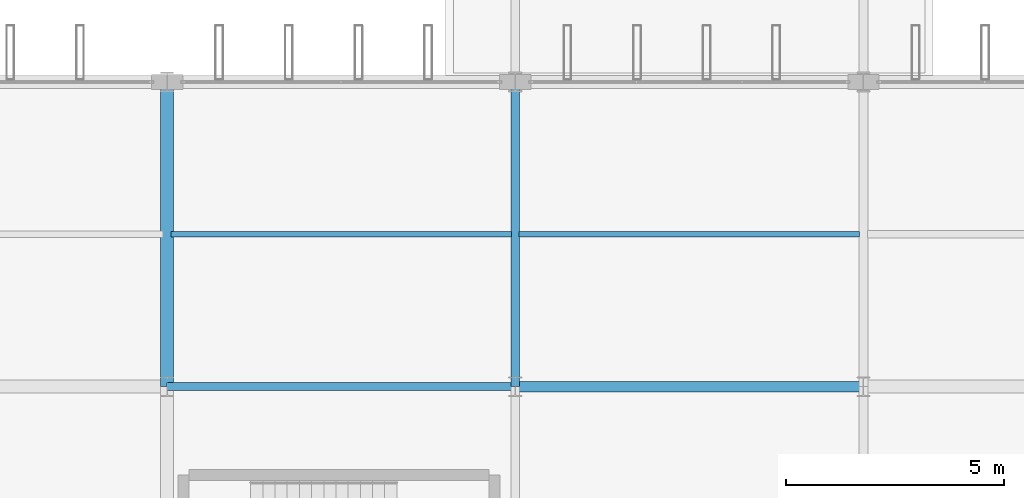
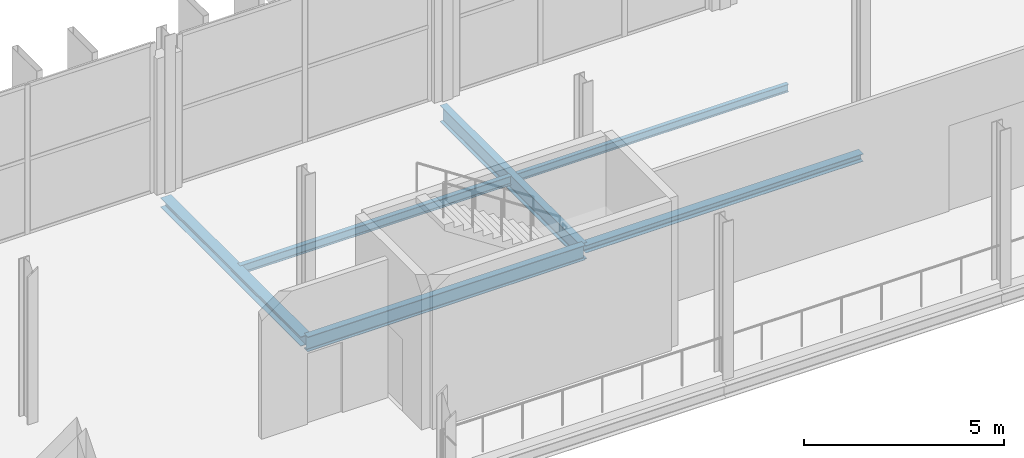
# One storey, part 42 of 120: 6 beams.
"""IFC4 building model written with IfcOpenShell, lengths in metres."""

from ifc_helpers import new_model, si_unit, direction, frame, origin, origin_2d, place, context, subcontext, project, spatial, i_section, extrude, material, material_profile, profile_set, type_object, element, save


model = new_model("IFC4")

# Units and contexts
model_context = context("Model", 3, precision=1e-05, world=origin(), true_north=direction((0.0, 1.0)))
body_context = subcontext(model_context, "Body", "Model", "MODEL_VIEW")
ifc_project = project(units=[si_unit("LENGTHUNIT", "METRE"), si_unit("AREAUNIT", "SQUARE_METRE"), si_unit("VOLUMEUNIT", "CUBIC_METRE"), si_unit("PLANEANGLEUNIT", "RADIAN"), si_unit("MASSUNIT", "GRAM", prefix="KILO")], contexts=[model_context])

# Site, building, storey
site_placement = place(None, origin())
site = spatial("IfcSite", under=ifc_project, at=site_placement, CompositionType="ELEMENT")
building_placement = place(site_placement, origin())
building = spatial("IfcBuilding", under=site, at=building_placement, Name="Vekula Escarpment Museum", CompositionType="ELEMENT")
storey_placement = place(building_placement, frame((0.0, 0.0, 13.199951171875)))
storey = spatial("IfcBuildingStorey", under=building, at=storey_placement, Name="L03", CompositionType="ELEMENT", Elevation=13.199951171875)

# Beams
ifc_material_1 = material(Name="Steel S355", Category="steel")
ifc_material_profile_1 = material_profile(ifc_material_1, i_section(OverallWidth=0.18994140625, OverallDepth=0.449951171875, WebThickness=0.009521484375, FlangeThickness=0.0146484375, FilletRadius=0.02099609375, at=origin_2d()), Name="IPE 450")
ifc_profile_set_1 = profile_set([ifc_material_profile_1], Name="Steel S355")
beam_type_1 = type_object("IfcBeamType", Name="BM-GIRD-IPE450", PredefinedType="BEAM", material=ifc_profile_set_1)
beam_1_placement = place(storey_placement, frame((86.0, 83.39990234375, -0.474853515625), z_axis=(1.0, 0.0, 0.0), x_axis=(0.0, 1.0, 0.0)))
element("IfcBeam", 1, at=beam_1_placement, inside=storey, type_object=beam_type_1, Name="Beam X L03 1408", PredefinedType="BEAM", context=body_context, shape_type="SweptSolid", body=[
    extrude(i_section(OverallWidth=0.18994140625, OverallDepth=0.449951171875, WebThickness=0.009521484375, FlangeThickness=0.0146484375, FilletRadius=0.02099609375, at=origin_2d()), origin(), (0.0, 0.0, 1.0), 8.0),
])
ifc_material_2 = material(Name="Steel S355", Category="steel")
ifc_material_profile_2 = material_profile(ifc_material_2, i_section(OverallWidth=0.199951171875, OverallDepth=0.5, WebThickness=0.01025390625, FlangeThickness=0.01611328125, FilletRadius=0.02099609375, at=origin_2d()), Name="IPE 500")
ifc_profile_set_2 = profile_set([ifc_material_profile_2], Name="Steel S355")
beam_type_2 = type_object("IfcBeamType", Name="BM-GIRD-IPE500", PredefinedType="BEAM", material=ifc_profile_set_2)
beam_2_placement = place(storey_placement, frame((94.0, 83.39990234375, -0.5), z_axis=(0.0, 1.0, 0.0), x_axis=(-1.0, 0.0, 0.0)))
element("IfcBeam", 2, at=beam_2_placement, inside=storey, type_object=beam_type_2, Name="Beam Y L03 1588", PredefinedType="BEAM", context=body_context, shape_type="SweptSolid", body=[
    extrude(i_section(OverallWidth=0.199951171875, OverallDepth=0.5, WebThickness=0.01025390625, FlangeThickness=0.01611328125, FilletRadius=0.02099609375, at=origin_2d()), origin(), (0.0, 0.0, 1.0), 7.0),
])
ifc_material_3 = material(Name="Steel S355", Category="steel")
ifc_material_profile_3 = material_profile(ifc_material_3, i_section(OverallWidth=0.1201171875, OverallDepth=0.239990234375, WebThickness=0.006103515625, FlangeThickness=0.009765625, FilletRadius=0.014892578125, at=origin_2d()), Name="IPE 240")
ifc_profile_set_3 = profile_set([ifc_material_profile_3], Name="Steel S355")
beam_type_3 = type_object("IfcBeamType", Name="BM-JST-IPE240", PredefinedType="JOIST", material=ifc_profile_set_3)
beam_3_placement = place(storey_placement, frame((94.090087890625, 86.89990234375, -0.369873046875), z_axis=(1.0, 0.0, 0.0), x_axis=(0.0, 1.0, 0.0)))
element("IfcBeam", 3, at=beam_3_placement, inside=storey, type_object=beam_type_3, Name="Secondary Joist L03 1030", PredefinedType="JOIST", context=body_context, shape_type="SweptSolid", body=[
    extrude(i_section(OverallWidth=0.1201171875, OverallDepth=0.239990234375, WebThickness=0.006103515625, FlangeThickness=0.009765625, FilletRadius=0.014892578125, at=origin_2d()), origin(), (0.0, 0.0, 1.0), 7.81982421875),
])
ifc_material_4 = material(Name="Steel S355", Category="steel")
ifc_material_profile_4 = material_profile(ifc_material_4, i_section(OverallWidth=0.135009765625, OverallDepth=0.27001953125, WebThickness=0.006591796875, FlangeThickness=0.01025390625, FilletRadius=0.014892578125, at=origin_2d()), Name="IPE 270")
ifc_profile_set_4 = profile_set([ifc_material_profile_4], Name="Steel S355")
beam_type_4 = type_object("IfcBeamType", Name="BM-JST-IPE270", PredefinedType="JOIST", material=ifc_profile_set_4)
beam_4_placement = place(storey_placement, frame((86.090087890625, 86.89990234375, -0.385009765625), z_axis=(1.0, 0.0, 0.0), x_axis=(0.0, 1.0, 0.0)))
element("IfcBeam", 4, at=beam_4_placement, inside=storey, type_object=beam_type_4, Name="Secondary Joist L03 1018", PredefinedType="JOIST", context=body_context, shape_type="SweptSolid", body=[
    extrude(i_section(OverallWidth=0.135009765625, OverallDepth=0.27001953125, WebThickness=0.006591796875, FlangeThickness=0.01025390625, FilletRadius=0.014892578125, at=origin_2d()), origin(), (0.0, 0.0, 1.0), 7.81982421875),
])
ifc_material_5 = material(Name="Steel S355", Category="steel")
ifc_material_profile_5 = material_profile(ifc_material_5, i_section(OverallWidth=0.239990234375, OverallDepth=0.22998046875, WebThickness=0.007568359375, FlangeThickness=0.011962890625, FilletRadius=0.02099609375, at=origin_2d()), Name="HEA 240")
ifc_profile_set_5 = profile_set([ifc_material_profile_5], Name="Steel S355")
beam_type_5 = type_object("IfcBeamType", Name="BM-SPAN-HEA240", PredefinedType="SPANDREL", material=ifc_profile_set_5)
beam_5_placement = place(storey_placement, frame((94.0, 83.39990234375, -0.364990234375), z_axis=(1.0, 0.0, 0.0), x_axis=(0.0, 1.0, 0.0)))
element("IfcBeam", 5, at=beam_5_placement, inside=storey, type_object=beam_type_5, Name="Beam X L03 1409", PredefinedType="SPANDREL", context=body_context, shape_type="SweptSolid", body=[
    extrude(i_section(OverallWidth=0.239990234375, OverallDepth=0.22998046875, WebThickness=0.007568359375, FlangeThickness=0.011962890625, FilletRadius=0.02099609375, at=origin_2d()), origin(), (0.0, 0.0, 1.0), 8.0),
])
ifc_material_6 = material(Name="Steel S355", Category="steel")
ifc_material_profile_6 = material_profile(ifc_material_6, i_section(OverallWidth=0.300048828125, OverallDepth=0.2900390625, WebThickness=0.008544921875, FlangeThickness=0.013916015625, FilletRadius=0.027099609375, at=origin_2d()), Name="HEA 300")
ifc_profile_set_6 = profile_set([ifc_material_profile_6], Name="Steel S355")
beam_type_6 = type_object("IfcBeamType", Name="BM-SPAN-HEA300", PredefinedType="SPANDREL", material=ifc_profile_set_6)
beam_6_placement = place(storey_placement, frame((86.0, 83.39990234375, -0.39501953125), z_axis=(0.0, 1.0, 0.0), x_axis=(-1.0, 0.0, 0.0)))
element("IfcBeam", 6, at=beam_6_placement, inside=storey, type_object=beam_type_6, Name="Beam Y L03 1580", PredefinedType="SPANDREL", context=body_context, shape_type="SweptSolid", body=[
    extrude(i_section(OverallWidth=0.300048828125, OverallDepth=0.2900390625, WebThickness=0.008544921875, FlangeThickness=0.013916015625, FilletRadius=0.027099609375, at=origin_2d()), origin(), (0.0, 0.0, 1.0), 7.0),
])

save(model, "model.ifc")
